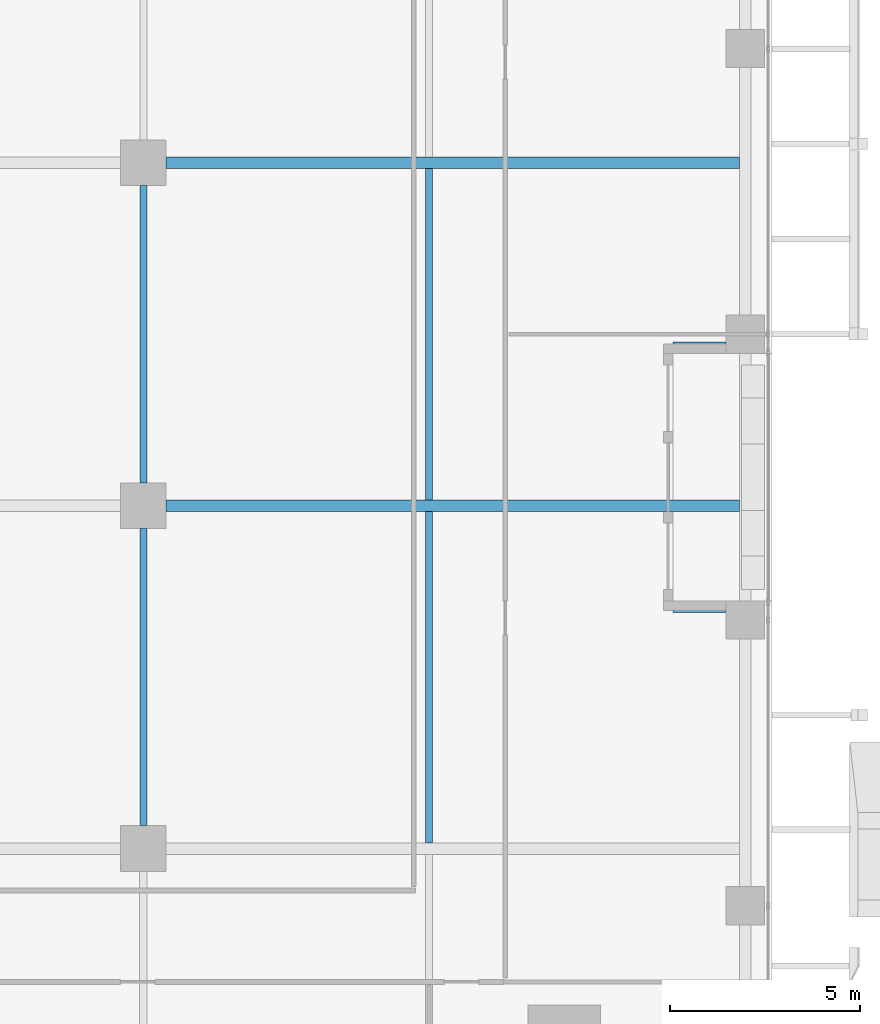
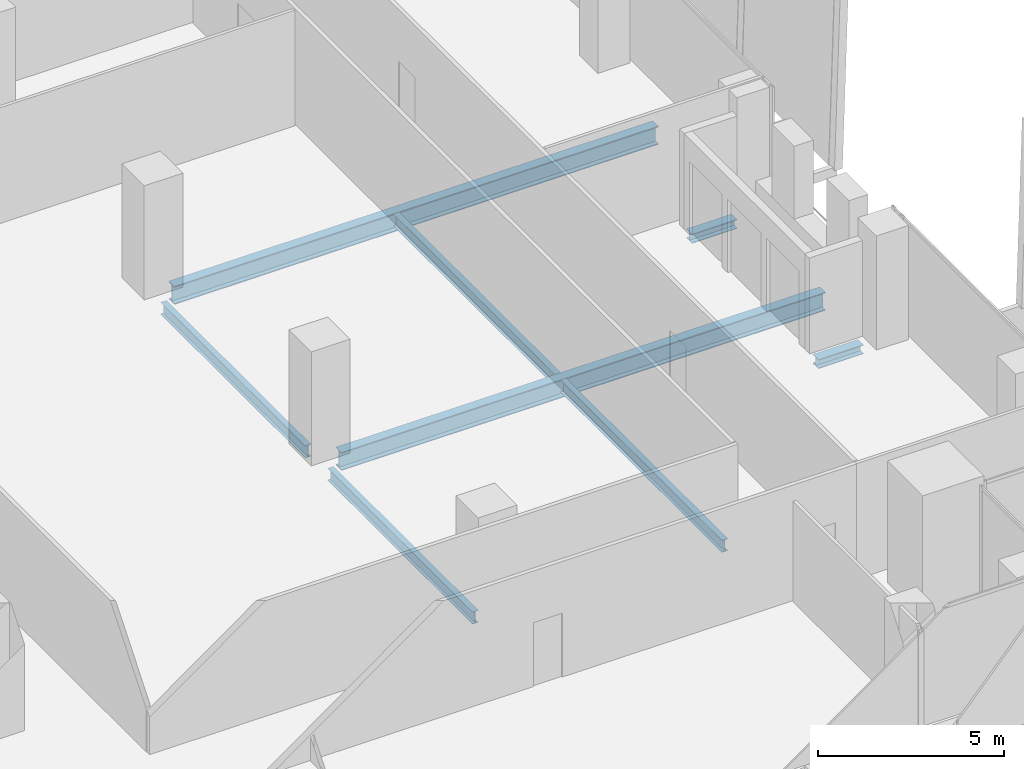
# One storey, part 12 of 35: 8 beams.
"""IFC4 building model written with IfcOpenShell, lengths in metres."""

from ifc_helpers import new_model, si_unit, direction, frame, origin, origin_2d, place, context, subcontext, project, spatial, i_section, extrude, source, transform, mapped, material, material_profile, profile_set, type_object, element, save


model = new_model("IFC4")

# Units and contexts
model_context = context("Model", 3, precision=1e-05, world=origin(), true_north=direction((0.0, 1.0)))
body_context = subcontext(model_context, "Body", "Model", "MODEL_VIEW")
ifc_project = project(units=[si_unit("LENGTHUNIT", "METRE"), si_unit("AREAUNIT", "SQUARE_METRE"), si_unit("VOLUMEUNIT", "CUBIC_METRE"), si_unit("PLANEANGLEUNIT", "RADIAN"), si_unit("MASSUNIT", "GRAM", prefix="KILO")], contexts=[model_context])

# Site, building, storey
site_placement = place(None, origin())
site = spatial("IfcSite", under=ifc_project, at=site_placement, CompositionType="ELEMENT")
building_placement = place(site_placement, origin())
building = spatial("IfcBuilding", under=site, at=building_placement, Name="Khomas Fold Tower", CompositionType="ELEMENT")
storey_placement = place(building_placement, frame((0.0, 0.0, 200.699951171875)))
storey = spatial("IfcBuildingStorey", under=building, at=storey_placement, Name="L44", CompositionType="ELEMENT", Elevation=200.699951171875)

# Beams
ifc_material_1 = material(Name="Steel S355", Category="steel")
ifc_material_profile_1 = material_profile(ifc_material_1, i_section(OverallWidth=0.179931640625, OverallDepth=0.39990234375, WebThickness=0.008544921875, FlangeThickness=0.013427734375, at=origin_2d()), Name="IPE 400")
ifc_profile_set_1 = profile_set([ifc_material_profile_1], Name="Steel S355")
beam_type_1 = type_object("IfcBeamType", Name="IPE 400 beam JB3", PredefinedType="BEAM", material=ifc_profile_set_1)
shared_shape_1 = source(origin(), body_context, "Body", "SweptSolid", [
    extrude(i_section(OverallWidth=0.179931640625, OverallDepth=0.39990234375, WebThickness=0.008544921875, FlangeThickness=0.013427734375, at=origin_2d()), origin(), (0.0, 0.0, 1.0), 8.7001953125),
])
for number, where, z_axis, x_axis, name in (
    (1, (42.0, 13.64990234375, -0.449951171875), (0.0, 1.0, 0.0), (-1.0, 0.0, 0.0), "JB3"),
    (2, (42.0, 22.64990234375, -0.449951171875), (0.0, 1.0, 0.0), (-1.0, 0.0, 0.0), "JB3"),
):
    element("IfcBeam", number, at=place(storey_placement, frame(where, z_axis=z_axis, x_axis=x_axis)), inside=storey, type_object=beam_type_1, Name=name, PredefinedType="BEAM", context=body_context, shape_type="MappedRepresentation", body=[
        mapped(shared_shape_1, transform((0.0, 0.0, 0.0))),
    ])
ifc_material_2 = material(Name="Steel S355", Category="steel")
ifc_material_profile_2 = material_profile(ifc_material_2, i_section(OverallWidth=0.300048828125, OverallDepth=0.60009765625, WebThickness=0.015380859375, FlangeThickness=0.030029296875, at=origin_2d()), Name="HE 600 B")
ifc_profile_set_2 = profile_set([ifc_material_profile_2], Name="Steel S355")
beam_type_2 = type_object("IfcBeamType", Name="HE 600 B beam GB5", PredefinedType="BEAM", material=ifc_profile_set_2)
shared_shape_2 = source(origin(), body_context, "Body", "SweptSolid", [
    extrude(i_section(OverallWidth=0.300048828125, OverallDepth=0.60009765625, WebThickness=0.015380859375, FlangeThickness=0.030029296875, at=origin_2d()), origin(), (0.0, 0.0, 1.0), 15.0498046875),
])
for number, where, z_axis, x_axis, name in (
    (3, (35.10009765625, 22.5, -0.550048828125), (1.0, 0.0, 0.0), (0.0, 1.0, 0.0), "GB5"),
    (4, (35.10009765625, 31.5, -0.550048828125), (1.0, 0.0, 0.0), (0.0, 1.0, 0.0), "GB5"),
):
    element("IfcBeam", number, at=place(storey_placement, frame(where, z_axis=z_axis, x_axis=x_axis)), inside=storey, type_object=beam_type_2, Name=name, PredefinedType="BEAM", context=body_context, shape_type="MappedRepresentation", body=[
        mapped(shared_shape_2, transform((0.0, 0.0, 0.0))),
    ])
shared_shape_3 = source(origin(), body_context, "Body", "SweptSolid", [
    extrude(i_section(OverallWidth=0.179931640625, OverallDepth=0.39990234375, WebThickness=0.008544921875, FlangeThickness=0.013427734375, at=origin_2d()), origin(), (0.0, 0.0, 1.0), 7.7998046875),
])
for number, where, z_axis, x_axis, name in (
    (5, (34.5, 14.10009765625, -0.449951171875), (0.0, 1.0, 0.0), (-1.0, 0.0, 0.0), "JB3"),
    (6, (34.5, 23.10009765625, -0.449951171875), (0.0, 1.0, 0.0), (-1.0, 0.0, 0.0), "JB3"),
):
    element("IfcBeam", number, at=place(storey_placement, frame(where, z_axis=z_axis, x_axis=x_axis)), inside=storey, type_object=beam_type_1, Name=name, PredefinedType="BEAM", context=body_context, shape_type="MappedRepresentation", body=[
        mapped(shared_shape_3, transform((0.0, 0.0, 0.0))),
    ])
ifc_material_3 = material(Name="Steel S355", Category="steel")
ifc_material_profile_3 = material_profile(ifc_material_3, i_section(OverallWidth=0.300048828125, OverallDepth=0.300048828125, WebThickness=0.010986328125, FlangeThickness=0.01904296875, at=origin_2d()), Name="HE 300 B")
ifc_profile_set_3 = profile_set([ifc_material_profile_3], Name="Steel S355")
beam_type_3 = type_object("IfcBeamType", Name="HE 300 B beam BB1", PredefinedType="BEAM", material=ifc_profile_set_3)
shared_shape_4 = source(origin(), body_context, "Body", "SweptSolid", [
    extrude(i_section(OverallWidth=0.300048828125, OverallDepth=0.300048828125, WebThickness=0.010986328125, FlangeThickness=0.01904296875, at=origin_2d()), origin(), (0.0, 0.0, 1.0), 1.400146484375),
])
for number, where, z_axis, x_axis, name in (
    (7, (48.39990234375, 19.85009765625, -0.39990234375), (1.0, 0.0, 0.0), (0.0, 1.0, 0.0), "BB1"),
    (8, (48.39990234375, 26.64990234375, -0.39990234375), (1.0, 0.0, 0.0), (0.0, 1.0, 0.0), "BB1"),
):
    element("IfcBeam", number, at=place(storey_placement, frame(where, z_axis=z_axis, x_axis=x_axis)), inside=storey, type_object=beam_type_3, Name=name, PredefinedType="BEAM", context=body_context, shape_type="MappedRepresentation", body=[
        mapped(shared_shape_4, transform((0.0, 0.0, 0.0))),
    ])

save(model, "model.ifc")
